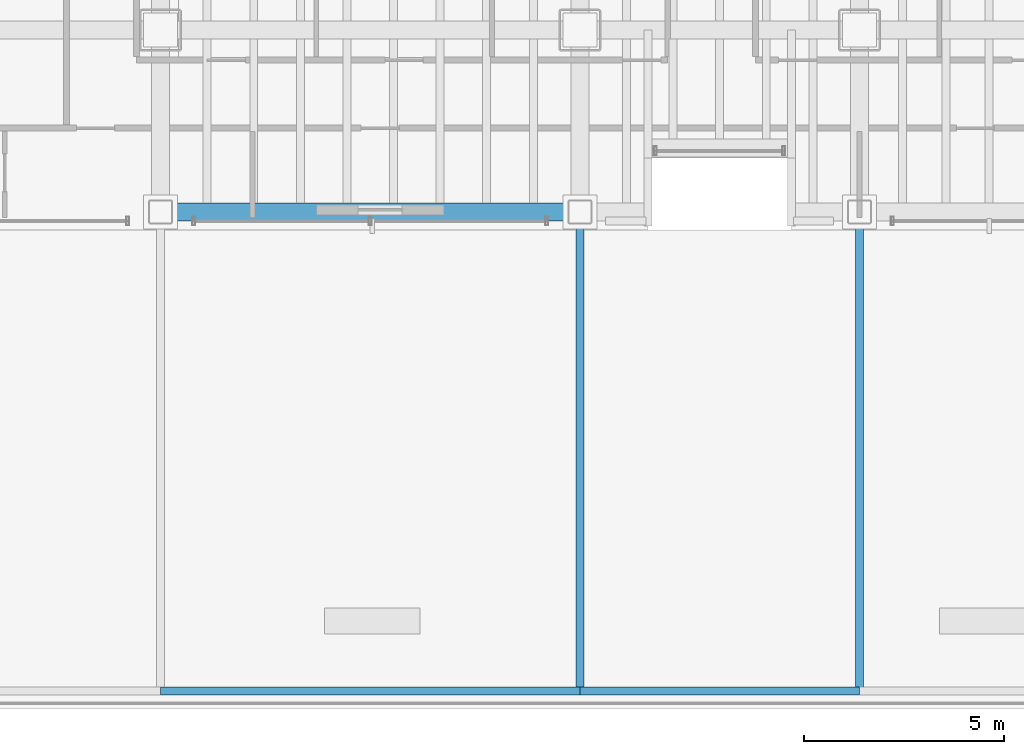
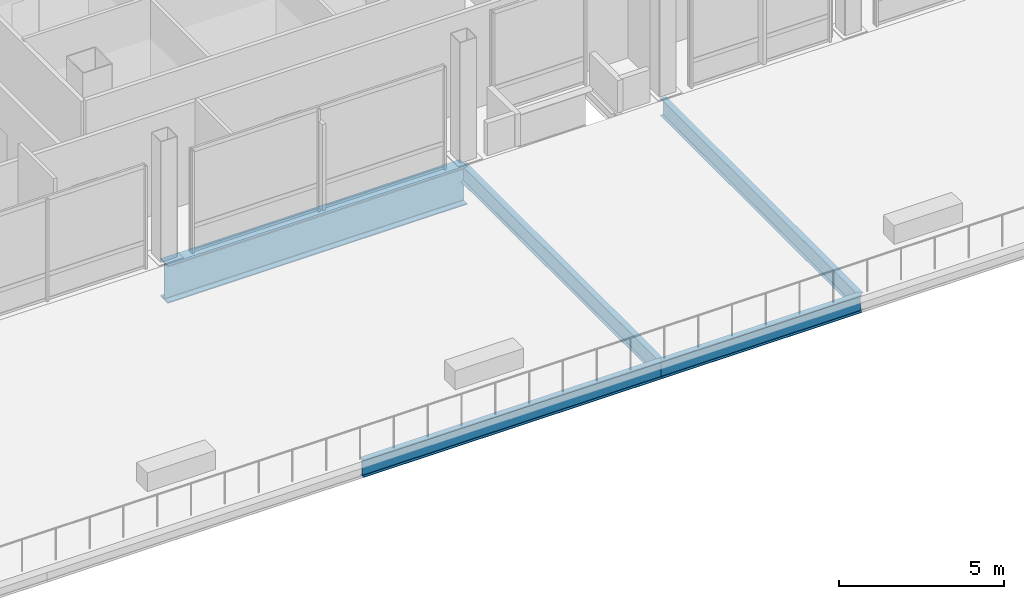
# One storey, part 6 of 34: 5 beams.
"""IFC4 building model written with IfcOpenShell, lengths in metres."""

from ifc_helpers import new_model, si_unit, direction, frame, origin, origin_2d, place, context, subcontext, project, spatial, i_section, extrude, material, material_profile, profile_set, type_object, element, save


model = new_model("IFC4")

# Units and contexts
model_context = context("Model", 3, precision=1e-05, world=origin(), true_north=direction((0.0, 1.0)))
body_context = subcontext(model_context, "Body", "Model", "MODEL_VIEW")
ifc_project = project(units=[si_unit("LENGTHUNIT", "METRE"), si_unit("AREAUNIT", "SQUARE_METRE"), si_unit("VOLUMEUNIT", "CUBIC_METRE"), si_unit("PLANEANGLEUNIT", "RADIAN"), si_unit("MASSUNIT", "GRAM", prefix="KILO")], contexts=[model_context])

# Site, building, storey
site_placement = place(None, origin())
site = spatial("IfcSite", under=ifc_project, at=site_placement, CompositionType="ELEMENT")
building_placement = place(site_placement, origin())
building = spatial("IfcBuilding", under=site, at=building_placement, Name="Noeulbin Bourse Tower", CompositionType="ELEMENT")
storey_placement = place(building_placement, frame((0.0, 0.0, 22.0)))
storey = spatial("IfcBuildingStorey", under=building, at=storey_placement, Name="L05", CompositionType="ELEMENT", Elevation=22.0)

# Beams
ifc_material_1 = material(Name="Steel S355", Category="steel")
ifc_material_profile_1 = material_profile(ifc_material_1, i_section(OverallWidth=0.199951171875, OverallDepth=0.64990234375, WebThickness=0.010986328125, FlangeThickness=0.01904296875, FilletRadius=0.02197265625, at=origin_2d()), Name="H-650x200x11x19", Category="LoadBearing")
ifc_profile_set_1 = profile_set([ifc_material_profile_1], Name="Steel S355")
beam_type_1 = type_object("IfcBeamType", Name="BM-GRD-650", PredefinedType="USERDEFINED", material=ifc_profile_set_1)
beam_1_placement = place(storey_placement, frame((13.5, 3.449951171875, -0.574951171875), z_axis=(1.0, 0.0, 0.0), x_axis=(0.0, 1.0, 0.0)))
element("IfcBeam", 1, at=beam_1_placement, inside=storey, type_object=beam_type_1, Name="BM-L05-PTER-EW3", ObjectType="GIRDER", PredefinedType="USERDEFINED", context=body_context, shape_type="SweptSolid", body=[
    extrude(i_section(OverallWidth=0.199951171875, OverallDepth=0.64990234375, WebThickness=0.010986328125, FlangeThickness=0.01904296875, FilletRadius=0.02197265625, at=origin_2d()), origin(), (0.0, 0.0, 1.0), 10.5),
])
beam_2_placement = place(storey_placement, frame((24.0, 3.449951171875, -0.574951171875), z_axis=(1.0, 0.0, 0.0), x_axis=(0.0, 1.0, 0.0)))
element("IfcBeam", 2, at=beam_2_placement, inside=storey, type_object=beam_type_1, Name="BM-L05-PTER-EW4", ObjectType="GIRDER", PredefinedType="USERDEFINED", context=body_context, shape_type="SweptSolid", body=[
    extrude(i_section(OverallWidth=0.199951171875, OverallDepth=0.64990234375, WebThickness=0.010986328125, FlangeThickness=0.01904296875, FilletRadius=0.02197265625, at=origin_2d()), origin(), (0.0, 0.0, 1.0), 7.0),
])
for number, where, z_axis, x_axis, name in (
    (3, (24.0, 3.449951171875, -0.574951171875), (0.0, 1.0, 0.0), (-1.0, 0.0, 0.0), "BM-L05-PTER-NS4"),
    (4, (31.0, 3.449951171875, -0.574951171875), (0.0, 1.0, 0.0), (-1.0, 0.0, 0.0), "BM-L05-PTER-NS5"),
):
    element("IfcBeam", number, at=place(storey_placement, frame(where, z_axis=z_axis, x_axis=x_axis)), inside=storey, type_object=beam_type_1, Name=name, ObjectType="GIRDER", PredefinedType="USERDEFINED", context=body_context, shape_type="SweptSolid", body=[
        extrude(i_section(OverallWidth=0.199951171875, OverallDepth=0.64990234375, WebThickness=0.010986328125, FlangeThickness=0.01904296875, FilletRadius=0.02197265625, at=origin_2d()), origin(), (0.0, 0.0, 1.0), 12.0),
    ])
ifc_material_2 = material(Name="Steel S460", Category="steel")
ifc_material_profile_2 = material_profile(ifc_material_2, i_section(OverallWidth=0.449951171875, OverallDepth=1.39990234375, WebThickness=0.02392578125, FlangeThickness=0.0400390625, FilletRadius=0.02392578125, at=origin_2d()), Name="PG-1400x450x24x40", Category="LoadBearing")
ifc_profile_set_2 = profile_set([ifc_material_profile_2], Name="Steel S460")
beam_type_2 = type_object("IfcBeamType", Name="BM-TRF-1400", PredefinedType="USERDEFINED", material=ifc_profile_set_2)
beam_3_placement = place(storey_placement, frame((13.5, 15.449951171875, -0.93994140625), z_axis=(1.0, 0.0, 0.0), x_axis=(0.0, 1.0, 0.0)))
element("IfcBeam", 5, at=beam_3_placement, inside=storey, type_object=beam_type_2, Name="South Spandrel L05-1", ObjectType="GIRDER", PredefinedType="USERDEFINED", context=body_context, shape_type="SweptSolid", body=[
    extrude(i_section(OverallWidth=0.449951171875, OverallDepth=1.39990234375, WebThickness=0.02392578125, FlangeThickness=0.0400390625, FilletRadius=0.02392578125, at=origin_2d()), origin(), (0.0, 0.0, 1.0), 10.5),
])

save(model, "model.ifc")
